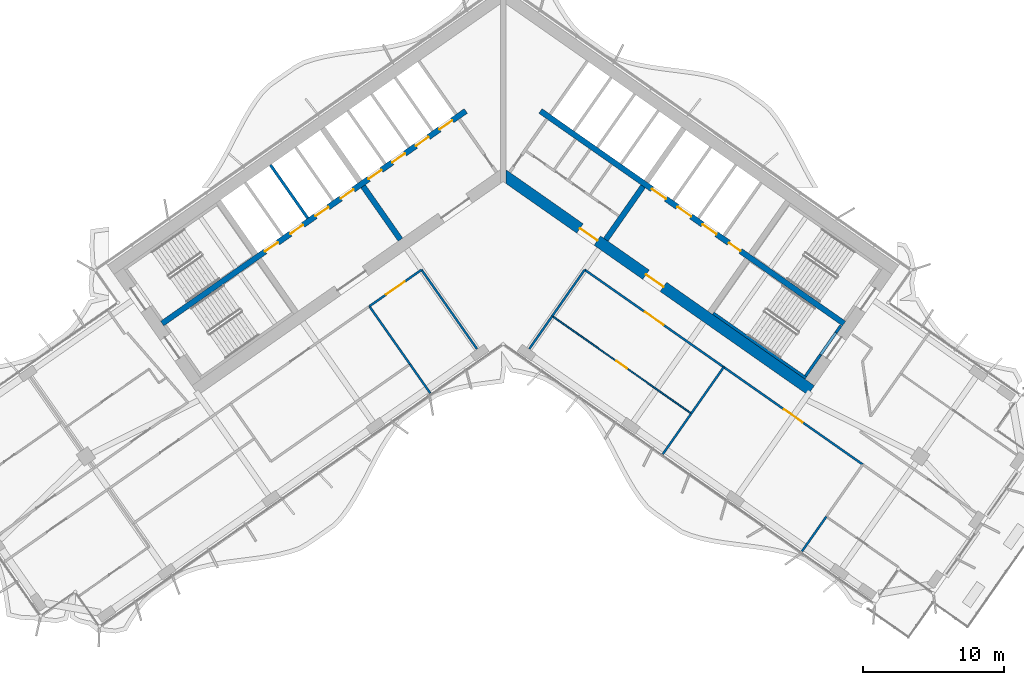
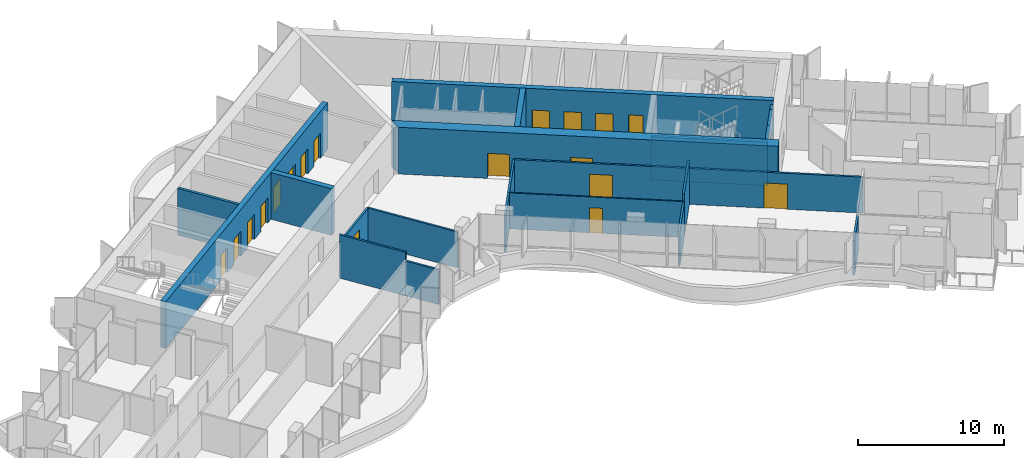
# One storey, part 13 of 22: 22 walls, 18 doors, 18 openings.
"""IFC4 building model written with IfcOpenShell, lengths in metres."""

from ifc_helpers import new_model, si_unit, direction, frame, frame_2d, origin, place, context, subcontext, project, spatial, polyline, rectangle, outline, extrude, material, layer, layer_set, type_object, element, fill, save


model = new_model("IFC4")

# Units and contexts
model_context = context("Model", 3, precision=1e-05, world=origin(), true_north=direction((0.0, 1.0)))
body_context = subcontext(model_context, "Body", "Model", "MODEL_VIEW")
ifc_project = project(units=[si_unit("LENGTHUNIT", "METRE"), si_unit("AREAUNIT", "SQUARE_METRE"), si_unit("VOLUMEUNIT", "CUBIC_METRE"), si_unit("PLANEANGLEUNIT", "RADIAN"), si_unit("MASSUNIT", "GRAM", prefix="KILO")], contexts=[model_context])

# Site, building, storey
site_placement = place(None, origin())
site = spatial("IfcSite", under=ifc_project, at=site_placement, CompositionType="ELEMENT")
building_placement = place(site_placement, origin())
building = spatial("IfcBuilding", under=site, at=building_placement, Name="Tel Ilan Convention Tower", CompositionType="ELEMENT")
storey_placement = place(building_placement, frame((0.0, 0.0, 143.699951171875)))
storey = spatial("IfcBuildingStorey", under=building, at=storey_placement, Name="L32", CompositionType="ELEMENT", Elevation=143.699951171875)

# Wall
ifc_material_1 = material(Name="Concrete C50/60", Category="concrete")
ifc_layer_1 = layer(ifc_material_1, 0.39990234375)
ifc_layer_set_1 = layer_set([ifc_layer_1], Name="Core Shear Wall 400 mm C50/60")
wall_type_1 = type_object("IfcWallType", Name="Core Shear Wall 400 mm C50/60", PredefinedType="SHEAR", material=ifc_layer_set_1)
wall_1_placement = place(storey_placement, frame((-7.2578125, -5.325927734375, 0.0), z_axis=(0.0, 0.0, 1.0), x_axis=(-0.573540709186, 0.819177059558, 0.0)))
element("IfcWall", 1, at=wall_1_placement, inside=storey, type_object=wall_type_1, Name="L32 core wall W-cross1-1", PredefinedType="SHEAR", context=body_context, shape_type="SweptSolid", body=[
    extrude(outline(polyline([(4.599853515625, 0.2001953125), (-0.000244140625, 0.199951171875), (-0.000244140625, -0.2001953125), (4.599853515625, -0.199951171875), (4.599853515625, 0.2001953125)])), origin(), (0.0, 0.0, 1.0), 3.900146484375),
])

# Wall, openings, doors
wall_2_placement = place(storey_placement, frame((-2.638427734375, 3.76806640625, 0.0), z_axis=(0.0, 0.0, 1.0), x_axis=(-0.81915267502, -0.573575535572, 0.0)))
wall_2 = element("IfcWall", 2, at=wall_2_placement, inside=storey, type_object=wall_type_1, Name="L32 core wall W-spine", PredefinedType="SHEAR", context=body_context, shape_type="SweptSolid", body=[
    extrude(outline(polyline([(26.199951171875, 0.199951171875), (0.0, 0.199951171875), (0.0, -0.199951171875), (26.199951171875, -0.199951171875), (26.199951171875, 0.199951171875)])), origin(), (0.0, 0.0, 1.0), 3.900146484375),
])
opening_1_placement = place(wall_2_placement, frame((1.168701171875, 0.0, 0.0)))
opening_1 = element("IfcOpeningElement", 3, at=opening_1_placement, cuts=wall_2, Name="Opening LD2604", PredefinedType="OPENING", context=body_context, shape_type="SweptSolid", body=[
    extrude(rectangle(XDim=1.10009765625, YDim=2.10009765625, at=frame_2d((0.550048828125, 1.050048828125))), frame((0.0, 0.2099609375, 0.0), z_axis=(0.0, -1.0, 0.0), x_axis=(1.0, 0.0, 0.0)), (0.0, 0.0, 1.0), 0.419921875),
])
opening_2_placement = place(wall_2_placement, frame((3.206298828125, 0.0, 0.0)))
opening_2 = element("IfcOpeningElement", 4, at=opening_2_placement, cuts=wall_2, Name="Opening LD2605", PredefinedType="OPENING", context=body_context, shape_type="SweptSolid", body=[
    extrude(rectangle(XDim=1.10009765625, YDim=2.10009765625, at=frame_2d((0.550048828125, 1.050048828125))), frame((0.0, 0.2099609375, 0.0), z_axis=(0.0, -1.0, 0.0), x_axis=(1.0, 0.0, 0.0)), (0.0, 0.0, 1.0), 0.419921875),
])
opening_3_placement = place(wall_2_placement, frame((5.24365234375, 0.0, 0.0)))
opening_3 = element("IfcOpeningElement", 5, at=opening_3_placement, cuts=wall_2, Name="Opening LD2606", PredefinedType="OPENING", context=body_context, shape_type="SweptSolid", body=[
    extrude(rectangle(XDim=1.10009765625, YDim=2.10009765625, at=frame_2d((0.550048828125, 1.050048828125))), frame((0.0, 0.2099609375, 0.0), z_axis=(0.0, -1.0, 0.0), x_axis=(1.0, 0.0, 0.0)), (0.0, 0.0, 1.0), 0.419921875),
])
opening_4_placement = place(wall_2_placement, frame((7.28125, 0.0, 0.0)))
opening_4 = element("IfcOpeningElement", 6, at=opening_4_placement, cuts=wall_2, Name="Opening LD2607", PredefinedType="OPENING", context=body_context, shape_type="SweptSolid", body=[
    extrude(rectangle(XDim=1.10009765625, YDim=2.10009765625, at=frame_2d((0.550048828125, 1.050048828125))), frame((0.0, 0.2099609375, 0.0), z_axis=(0.0, -1.0, 0.0), x_axis=(1.0, 0.0, 0.0)), (0.0, 0.0, 1.0), 0.419921875),
])
opening_5_placement = place(wall_2_placement, frame((9.6875, 0.0, 0.0)))
opening_5 = element("IfcOpeningElement", 7, at=opening_5_placement, cuts=wall_2, Name="Opening LD2608", PredefinedType="OPENING", context=body_context, shape_type="SweptSolid", body=[
    extrude(rectangle(XDim=1.10009765625, YDim=2.10009765625, at=frame_2d((0.550048828125, 1.050048828125))), frame((0.0, 0.2099609375, 0.0), z_axis=(0.0, -1.0, 0.0), x_axis=(1.0, 0.0, 0.0)), (0.0, 0.0, 1.0), 0.419921875),
])
opening_6_placement = place(wall_2_placement, frame((11.862548828125, 0.0, 0.0)))
opening_6 = element("IfcOpeningElement", 8, at=opening_6_placement, cuts=wall_2, Name="Opening LD2609", PredefinedType="OPENING", context=body_context, shape_type="SweptSolid", body=[
    extrude(rectangle(XDim=1.10009765625, YDim=2.10009765625, at=frame_2d((0.550048828125, 1.050048828125))), frame((0.0, 0.2099609375, 0.0), z_axis=(0.0, -1.0, 0.0), x_axis=(1.0, 0.0, 0.0)), (0.0, 0.0, 1.0), 0.419921875),
])
opening_7_placement = place(wall_2_placement, frame((14.03759765625, 0.0, 0.0)))
opening_7 = element("IfcOpeningElement", 9, at=opening_7_placement, cuts=wall_2, Name="Opening LD2610", PredefinedType="OPENING", context=body_context, shape_type="SweptSolid", body=[
    extrude(rectangle(XDim=1.10009765625, YDim=2.10009765625, at=frame_2d((0.550048828125, 1.050048828125))), frame((0.0, 0.2099609375, 0.0), z_axis=(0.0, -1.0, 0.0), x_axis=(1.0, 0.0, 0.0)), (0.0, 0.0, 1.0), 0.419921875),
])
opening_8_placement = place(wall_2_placement, frame((16.21240234375, 0.0, 0.0)))
opening_8 = element("IfcOpeningElement", 10, at=opening_8_placement, cuts=wall_2, Name="Opening LD2611", PredefinedType="OPENING", context=body_context, shape_type="SweptSolid", body=[
    extrude(rectangle(XDim=1.10009765625, YDim=2.10009765625, at=frame_2d((0.550048828125, 1.050048828125))), frame((0.0, 0.2099609375, 0.0), z_axis=(0.0, -1.0, 0.0), x_axis=(1.0, 0.0, 0.0)), (0.0, 0.0, 1.0), 0.419921875),
])
ifc_material_2 = material(Name="Stainless Steel Sliding Door Leaf", Category="steel")
door_type_1 = type_object("IfcDoorType", Name="Lift Landing Door 1100 x 2100 FD120", OperationType="NOTDEFINED", PredefinedType="DOOR", material=ifc_material_2)
door_1_placement = place(opening_1_placement, origin())
door_1 = element("IfcDoor", 11, at=door_1_placement, inside=storey, type_object=door_type_1, Name="Lift LR1 landing door", OperationType="SLIDING_TO_LEFT", OverallHeight=2.10009765625, OverallWidth=1.10009765625, PredefinedType="DOOR", context=body_context, shape_type="SweptSolid", body=[
    extrude(rectangle(XDim=1.10009765625, YDim=2.10009765625, at=frame_2d((0.550048828125, 1.050048828125))), frame((0.0, 0.02490234375, 0.0), z_axis=(0.0, -1.0, 0.0), x_axis=(1.0, 0.0, 0.0)), (0.0, 0.0, 1.0), 0.050048828125),
])
fill(opening_1, door_1)
door_2_placement = place(opening_2_placement, origin())
door_2 = element("IfcDoor", 12, at=door_2_placement, inside=storey, type_object=door_type_1, Name="Lift LR2 landing door", OperationType="SLIDING_TO_RIGHT", OverallHeight=2.10009765625, OverallWidth=1.10009765625, PredefinedType="DOOR", context=body_context, shape_type="SweptSolid", body=[
    extrude(rectangle(XDim=1.10009765625, YDim=2.10009765625, at=frame_2d((0.550048828125, 1.050048828125))), frame((0.0, 0.02490234375, 0.0), z_axis=(0.0, -1.0, 0.0), x_axis=(1.0, 0.0, 0.0)), (0.0, 0.0, 1.0), 0.050048828125),
])
fill(opening_2, door_2)
door_3_placement = place(opening_3_placement, origin())
door_3 = element("IfcDoor", 13, at=door_3_placement, inside=storey, type_object=door_type_1, Name="Lift LR3 landing door", OperationType="SLIDING_TO_LEFT", OverallHeight=2.10009765625, OverallWidth=1.10009765625, PredefinedType="DOOR", context=body_context, shape_type="SweptSolid", body=[
    extrude(rectangle(XDim=1.10009765625, YDim=2.10009765625, at=frame_2d((0.550048828125, 1.050048828125))), frame((0.0, 0.02490234375, 0.0), z_axis=(0.0, -1.0, 0.0), x_axis=(1.0, 0.0, 0.0)), (0.0, 0.0, 1.0), 0.050048828125),
])
fill(opening_3, door_3)
door_4_placement = place(opening_4_placement, origin())
door_4 = element("IfcDoor", 14, at=door_4_placement, inside=storey, type_object=door_type_1, Name="Lift LR4 landing door", OperationType="SLIDING_TO_RIGHT", OverallHeight=2.10009765625, OverallWidth=1.10009765625, PredefinedType="DOOR", context=body_context, shape_type="SweptSolid", body=[
    extrude(rectangle(XDim=1.10009765625, YDim=2.10009765625, at=frame_2d((0.550048828125, 1.050048828125))), frame((0.0, 0.02490234375, 0.0), z_axis=(0.0, -1.0, 0.0), x_axis=(1.0, 0.0, 0.0)), (0.0, 0.0, 1.0), 0.050048828125),
])
fill(opening_4, door_4)
door_5_placement = place(opening_5_placement, origin())
door_5 = element("IfcDoor", 15, at=door_5_placement, inside=storey, type_object=door_type_1, Name="Lift LR5 landing door", OperationType="SLIDING_TO_LEFT", OverallHeight=2.10009765625, OverallWidth=1.10009765625, PredefinedType="DOOR", context=body_context, shape_type="SweptSolid", body=[
    extrude(rectangle(XDim=1.10009765625, YDim=2.10009765625, at=frame_2d((0.550048828125, 1.050048828125))), frame((0.0, 0.02490234375, 0.0), z_axis=(0.0, -1.0, 0.0), x_axis=(1.0, 0.0, 0.0)), (0.0, 0.0, 1.0), 0.050048828125),
])
fill(opening_5, door_5)
door_6_placement = place(opening_6_placement, origin())
door_6 = element("IfcDoor", 16, at=door_6_placement, inside=storey, type_object=door_type_1, Name="Lift LR6 landing door", OperationType="SLIDING_TO_RIGHT", OverallHeight=2.10009765625, OverallWidth=1.10009765625, PredefinedType="DOOR", context=body_context, shape_type="SweptSolid", body=[
    extrude(rectangle(XDim=1.10009765625, YDim=2.10009765625, at=frame_2d((0.550048828125, 1.050048828125))), frame((0.0, 0.02490234375, 0.0), z_axis=(0.0, -1.0, 0.0), x_axis=(1.0, 0.0, 0.0)), (0.0, 0.0, 1.0), 0.050048828125),
])
fill(opening_6, door_6)
door_7_placement = place(opening_7_placement, origin())
door_7 = element("IfcDoor", 17, at=door_7_placement, inside=storey, type_object=door_type_1, Name="Lift LR7 landing door", OperationType="SLIDING_TO_LEFT", OverallHeight=2.10009765625, OverallWidth=1.10009765625, PredefinedType="DOOR", context=body_context, shape_type="SweptSolid", body=[
    extrude(rectangle(XDim=1.10009765625, YDim=2.10009765625, at=frame_2d((0.550048828125, 1.050048828125))), frame((0.0, 0.02490234375, 0.0), z_axis=(0.0, -1.0, 0.0), x_axis=(1.0, 0.0, 0.0)), (0.0, 0.0, 1.0), 0.050048828125),
])
fill(opening_7, door_7)
door_8_placement = place(opening_8_placement, origin())
door_8 = element("IfcDoor", 18, at=door_8_placement, inside=storey, type_object=door_type_1, Name="Lift LR8 landing door", OperationType="SLIDING_TO_RIGHT", OverallHeight=2.10009765625, OverallWidth=1.10009765625, PredefinedType="DOOR", context=body_context, shape_type="SweptSolid", body=[
    extrude(rectangle(XDim=1.10009765625, YDim=2.10009765625, at=frame_2d((0.550048828125, 1.050048828125))), frame((0.0, 0.02490234375, 0.0), z_axis=(0.0, -1.0, 0.0), x_axis=(1.0, 0.0, 0.0)), (0.0, 0.0, 1.0), 0.050048828125),
])
fill(opening_8, door_8)

# Wall
wall_3_placement = place(storey_placement, frame((7.2578125, -5.325927734375, 0.0), z_axis=(0.0, 0.0, 1.0), x_axis=(0.573540709186, 0.819177059558, 0.0)))
element("IfcWall", 19, at=wall_3_placement, inside=storey, type_object=wall_type_1, Name="L32 core wall E-cross1-1", PredefinedType="SHEAR", context=body_context, shape_type="SweptSolid", body=[
    extrude(outline(polyline([(-0.000244140625, 0.2001953125), (-0.000244140625, -0.199951171875), (4.599853515625, -0.2001953125), (4.599853515625, 0.199951171875), (-0.000244140625, 0.2001953125)])), origin(), (0.0, 0.0, 1.0), 3.900146484375),
])

# Wall, openings, doors
wall_4_placement = place(storey_placement, frame((2.638427734375, 3.76806640625, 0.0), z_axis=(0.0, 0.0, 1.0), x_axis=(0.81915267502, -0.573575535572, 0.0)))
wall_4 = element("IfcWall", 20, at=wall_4_placement, inside=storey, type_object=wall_type_1, Name="L32 core wall E-spine", PredefinedType="SHEAR", context=body_context, shape_type="SweptSolid", body=[
    extrude(outline(polyline([(0.0, 0.199951171875), (0.0, -0.199951171875), (26.199951171875, -0.199951171875), (26.199951171875, 0.199951171875), (0.0, 0.199951171875)])), origin(), (0.0, 0.0, 1.0), 3.900146484375),
])
opening_9_placement = place(wall_4_placement, frame((9.637451171875, 0.0, 0.0)))
opening_9 = element("IfcOpeningElement", 21, at=opening_9_placement, cuts=wall_4, Name="Opening LD2601", PredefinedType="OPENING", context=body_context, shape_type="SweptSolid", body=[
    extrude(rectangle(XDim=1.199951171875, YDim=2.10009765625, at=frame_2d((0.60009765625, 1.050048828125))), frame((0.0, 0.2099609375, 0.0), z_axis=(0.0, -1.0, 0.0), x_axis=(1.0, 0.0, 0.0)), (0.0, 0.0, 1.0), 0.419921875),
])
opening_10_placement = place(wall_4_placement, frame((11.8125, 0.0, 0.0)))
opening_10 = element("IfcOpeningElement", 22, at=opening_10_placement, cuts=wall_4, Name="Opening LD2602", PredefinedType="OPENING", context=body_context, shape_type="SweptSolid", body=[
    extrude(rectangle(XDim=1.199951171875, YDim=2.10009765625, at=frame_2d((0.60009765625, 1.050048828125))), frame((0.0, 0.2099609375, 0.0), z_axis=(0.0, -1.0, 0.0), x_axis=(1.0, 0.0, 0.0)), (0.0, 0.0, 1.0), 0.419921875),
])
opening_11_placement = place(wall_4_placement, frame((13.987548828125, 0.0, 0.0)))
opening_11 = element("IfcOpeningElement", 23, at=opening_11_placement, cuts=wall_4, Name="Opening LD2603", PredefinedType="OPENING", context=body_context, shape_type="SweptSolid", body=[
    extrude(rectangle(XDim=1.199951171875, YDim=2.10009765625, at=frame_2d((0.60009765625, 1.050048828125))), frame((0.0, 0.2099609375, 0.0), z_axis=(0.0, -1.0, 0.0), x_axis=(1.0, 0.0, 0.0)), (0.0, 0.0, 1.0), 0.419921875),
])
opening_12_placement = place(wall_4_placement, frame((16.262451171875, 0.0, 0.0)))
opening_12 = element("IfcOpeningElement", 24, at=opening_12_placement, cuts=wall_4, Name="Opening CD2607", PredefinedType="OPENING", context=body_context, shape_type="SweptSolid", body=[
    extrude(rectangle(XDim=1.0, YDim=2.10009765625, at=frame_2d((0.5, 1.050048828125))), frame((0.0, 0.2099609375, 0.0), z_axis=(0.0, -1.0, 0.0), x_axis=(1.0, 0.0, 0.0)), (0.0, 0.0, 1.0), 0.419921875),
])
ifc_material_3 = material(Name="Stainless Steel Sliding Door Leaf", Category="steel")
door_type_2 = type_object("IfcDoorType", Name="Lift Landing Door 1200 x 2100 FD120", OperationType="NOTDEFINED", PredefinedType="DOOR", material=ifc_material_3)
door_9_placement = place(opening_9_placement, origin())
door_9 = element("IfcDoor", 25, at=door_9_placement, inside=storey, type_object=door_type_2, Name="Lift FL1 landing door", OperationType="SLIDING_TO_LEFT", OverallHeight=2.10009765625, OverallWidth=1.199951171875, PredefinedType="DOOR", context=body_context, shape_type="SweptSolid", body=[
    extrude(rectangle(XDim=1.199951171875, YDim=2.10009765625, at=frame_2d((0.60009765625, 1.050048828125))), frame((0.0, 0.02490234375, 0.0), z_axis=(0.0, -1.0, 0.0), x_axis=(1.0, 0.0, 0.0)), (0.0, 0.0, 1.0), 0.050048828125),
])
fill(opening_9, door_9)
door_10_placement = place(opening_10_placement, origin())
door_10 = element("IfcDoor", 26, at=door_10_placement, inside=storey, type_object=door_type_2, Name="Lift FL2 landing door", OperationType="SLIDING_TO_RIGHT", OverallHeight=2.10009765625, OverallWidth=1.199951171875, PredefinedType="DOOR", context=body_context, shape_type="SweptSolid", body=[
    extrude(rectangle(XDim=1.199951171875, YDim=2.10009765625, at=frame_2d((0.60009765625, 1.050048828125))), frame((0.0, 0.02490234375, 0.0), z_axis=(0.0, -1.0, 0.0), x_axis=(1.0, 0.0, 0.0)), (0.0, 0.0, 1.0), 0.050048828125),
])
fill(opening_10, door_10)
door_11_placement = place(opening_11_placement, origin())
door_11 = element("IfcDoor", 27, at=door_11_placement, inside=storey, type_object=door_type_2, Name="Lift FL3 landing door", OperationType="SLIDING_TO_LEFT", OverallHeight=2.10009765625, OverallWidth=1.199951171875, PredefinedType="DOOR", context=body_context, shape_type="SweptSolid", body=[
    extrude(rectangle(XDim=1.199951171875, YDim=2.10009765625, at=frame_2d((0.60009765625, 1.050048828125))), frame((0.0, 0.02490234375, 0.0), z_axis=(0.0, -1.0, 0.0), x_axis=(1.0, 0.0, 0.0)), (0.0, 0.0, 1.0), 0.050048828125),
])
fill(opening_11, door_11)
ifc_material_4 = material(Name="Galvanised Steel Door Leaf", Category="steel")
door_type_3 = type_object("IfcDoorType", Name="Service Room Door 1000 x 2100 FD60", OperationType="NOTDEFINED", PredefinedType="DOOR", material=ifc_material_4)
door_12_placement = place(opening_12_placement, origin())
door_12 = element("IfcDoor", 28, at=door_12_placement, inside=storey, type_object=door_type_3, Name="Plant Room door", OperationType="SINGLE_SWING_RIGHT", OverallHeight=2.10009765625, OverallWidth=1.0, PredefinedType="DOOR", context=body_context, shape_type="SweptSolid", body=[
    extrude(rectangle(XDim=1.0, YDim=2.10009765625, at=frame_2d((0.5, 1.050048828125))), frame((0.0, 0.02490234375, 0.0), z_axis=(0.0, -1.0, 0.0), x_axis=(1.0, 0.0, 0.0)), (0.0, 0.0, 1.0), 0.050048828125),
])
fill(opening_12, door_12)

ifc_material_5 = material(Name="Concrete C50/60", Category="concrete")
ifc_layer_2 = layer(ifc_material_5, 0.800048828125)
ifc_layer_set_2 = layer_set([ifc_layer_2], Name="Core Shear Wall 800 mm C50/60")
wall_type_2 = type_object("IfcWallType", Name="Core Shear Wall 800 mm C50/60", PredefinedType="SHEAR", material=ifc_layer_set_2)
wall_5_placement = place(storey_placement, frame((-0.029296875, -0.7119140625, 0.0), z_axis=(0.0, 0.0, 1.0), x_axis=(0.819151758019, -0.573576845187, 0.0)))
wall_5 = element("IfcWall", 29, at=wall_5_placement, inside=storey, type_object=wall_type_2, Name="L32 core wall E-front", PredefinedType="SHEAR", context=body_context, shape_type="SweptSolid", body=[
    extrude(outline(polyline([(26.61572265625, 0.39990234375), (-0.000244140625, 0.39990234375), (0.56005859375, -0.39990234375), (26.61572265625, -0.39990234375), (26.61572265625, 0.39990234375)])), origin(), (0.0, 0.0, 1.0), 3.900146484375),
])
opening_13_placement = place(wall_5_placement, frame((6.665771484375, 0.0, 0.0)))
opening_13 = element("IfcOpeningElement", 30, at=opening_13_placement, cuts=wall_5, Name="Opening CD2603", PredefinedType="OPENING", context=body_context, shape_type="SweptSolid", body=[
    extrude(rectangle(XDim=1.5, YDim=2.10009765625, at=frame_2d((0.75, 1.050048828125))), frame((0.0, 0.409912109375, 0.0), z_axis=(0.0, -1.0, 0.0), x_axis=(1.0, 0.0, 0.0)), (0.0, 0.0, 1.0), 0.820068359375),
])
opening_14_placement = place(wall_5_placement, frame((12.36572265625, 0.0, 0.0)))
opening_14 = element("IfcOpeningElement", 31, at=opening_14_placement, cuts=wall_5, Name="Opening CD2604", PredefinedType="OPENING", context=body_context, shape_type="SweptSolid", body=[
    extrude(rectangle(XDim=1.5, YDim=2.10009765625, at=frame_2d((0.75, 1.050048828125))), frame((0.0, 0.409912109375, 0.0), z_axis=(0.0, -1.0, 0.0), x_axis=(1.0, 0.0, 0.0)), (0.0, 0.0, 1.0), 0.820068359375),
])
ifc_material_6 = material(Name="Glazed Aluminium Door Leaf", Category="aluminium")
door_type_4 = type_object("IfcDoorType", Name="Lobby Opening Door 1500 x 2100 FD60S", OperationType="NOTDEFINED", PredefinedType="DOOR", material=ifc_material_6)
door_13_placement = place(opening_14_placement, origin())
door_13 = element("IfcDoor", 32, at=door_13_placement, inside=storey, type_object=door_type_4, Name="Firefighting Lobby door", OperationType="DOUBLE_DOOR_SINGLE_SWING", OverallHeight=2.10009765625, OverallWidth=1.5, PredefinedType="DOOR", context=body_context, shape_type="SweptSolid", body=[
    extrude(rectangle(XDim=1.5, YDim=2.10009765625, at=frame_2d((0.75, 1.050048828125))), frame((0.0, 0.02490234375, 0.0), z_axis=(0.0, -1.0, 0.0), x_axis=(1.0, 0.0, 0.0)), (0.0, 0.0, 1.0), 0.050048828125),
])
fill(opening_14, door_13)
ifc_material_7 = material(Name="Laminated Timber Door Leaf", Category="wood")
door_type_5 = type_object("IfcDoorType", Name="Toilet Door 1500 x 2100 FD30S", OperationType="NOTDEFINED", PredefinedType="DOOR", material=ifc_material_7)
door_14_placement = place(opening_13_placement, origin())
door_14 = element("IfcDoor", 33, at=door_14_placement, inside=storey, type_object=door_type_5, Name="WC Lobby door", OperationType="SINGLE_SWING_RIGHT", OverallHeight=2.10009765625, OverallWidth=1.5, PredefinedType="DOOR", context=body_context, shape_type="SweptSolid", body=[
    extrude(rectangle(XDim=1.5, YDim=2.10009765625, at=frame_2d((0.75, 1.050048828125))), frame((0.0, 0.02490234375, 0.0), z_axis=(0.0, -1.0, 0.0), x_axis=(1.0, 0.0, 0.0)), (0.0, 0.0, 1.0), 0.050048828125),
])
fill(opening_13, door_14)

# Wall, opening, door
ifc_material_8 = material(Name="Plasterboard on Steel Studs", Category="steel")
ifc_layer_3 = layer(ifc_material_8, 0.14990234375)
ifc_layer_set_3 = layer_set([ifc_layer_3], Name="Fire-rated Partition 150 EI 60")
wall_type_3 = type_object("IfcWallType", Name="Fire-rated Partition 150 EI 60", PredefinedType="PARTITIONING", material=ifc_layer_set_3)
wall_6_placement = place(storey_placement, frame((15.597900390625, -14.33984375, 0.0), z_axis=(0.0, 0.0, 1.0), x_axis=(-0.81915546166, 0.573571555809, 0.0)))
wall_6 = element("IfcWall", 34, at=wall_6_placement, inside=storey, type_object=wall_type_3, Name="Partition 002", PredefinedType="PARTITIONING", context=body_context, shape_type="SweptSolid", body=[
    extrude(rectangle(XDim=12.001953125, YDim=0.14990234375, at=frame_2d((6.0009765625, 0.0))), origin(), (0.0, 0.0, 1.0), 3.0),
])
opening_15_placement = place(wall_6_placement, frame((5.200927734375, 0.0, 0.0)))
opening_15 = element("IfcOpeningElement", 35, at=opening_15_placement, cuts=wall_6, Name="Opening L32-010", PredefinedType="OPENING", context=body_context, shape_type="SweptSolid", body=[
    extrude(rectangle(XDim=1.60009765625, YDim=2.10009765625, at=frame_2d((0.800048828125, 1.050048828125))), frame((0.0, 0.0849609375, 0.0), z_axis=(0.0, -1.0, 0.0), x_axis=(1.0, 0.0, 0.0)), (0.0, 0.0, 1.0), 0.169921875),
])
ifc_material_9 = material(Name="Timber Door Leaf in Steel Frame", Category="steel")
door_type_6 = type_object("IfcDoorType", Name="Tenant Suite Entrance Fire Door 1600x2100", OperationType="NOTDEFINED", PredefinedType="DOOR", material=ifc_material_9)
door_15_placement = place(opening_15_placement, origin())
door_15 = element("IfcDoor", 36, at=door_15_placement, inside=storey, type_object=door_type_6, Name="Door L32-010", OperationType="DOUBLE_DOOR_SINGLE_SWING", OverallHeight=2.10009765625, OverallWidth=1.60009765625, PredefinedType="DOOR", context=body_context, shape_type="SweptSolid", body=[
    extrude(rectangle(XDim=1.60009765625, YDim=2.10009765625, at=frame_2d((0.800048828125, 1.050048828125))), frame((0.0, 0.02490234375, 0.0), z_axis=(0.0, -1.0, 0.0), x_axis=(1.0, 0.0, 0.0)), (0.0, 0.0, 1.0), 0.050048828125),
])
fill(opening_15, door_15)

wall_7_placement = place(storey_placement, frame((25.427490234375, -21.222900390625, 0.0), z_axis=(0.0, 0.0, 1.0), x_axis=(-0.819147828287, 0.573582457378, 0.0)))
wall_7 = element("IfcWall", 37, at=wall_7_placement, inside=storey, type_object=wall_type_3, Name="Partition 003", PredefinedType="PARTITIONING", context=body_context, shape_type="SweptSolid", body=[
    extrude(rectangle(XDim=12.00390625, YDim=0.14990234375, at=frame_2d((6.001953125, 0.0))), origin(), (0.0, 0.0, 1.0), 3.0),
])
opening_16_placement = place(wall_7_placement, frame((5.201904296875, 0.0, 0.0)))
opening_16 = element("IfcOpeningElement", 38, at=opening_16_placement, cuts=wall_7, Name="Opening L32-012", PredefinedType="OPENING", context=body_context, shape_type="SweptSolid", body=[
    extrude(rectangle(XDim=1.60009765625, YDim=2.10009765625, at=frame_2d((0.800048828125, 1.050048828125))), frame((0.0, 0.0849609375, 0.0), z_axis=(0.0, -1.0, 0.0), x_axis=(1.0, 0.0, 0.0)), (0.0, 0.0, 1.0), 0.169921875),
])
door_16_placement = place(opening_16_placement, origin())
door_16 = element("IfcDoor", 39, at=door_16_placement, inside=storey, type_object=door_type_6, Name="Door L32-012", OperationType="DOUBLE_DOOR_SINGLE_SWING", OverallHeight=2.10009765625, OverallWidth=1.60009765625, PredefinedType="DOOR", context=body_context, shape_type="SweptSolid", body=[
    extrude(rectangle(XDim=1.60009765625, YDim=2.10009765625, at=frame_2d((0.800048828125, 1.050048828125))), frame((0.0, 0.02490234375, 0.0), z_axis=(0.0, -1.0, 0.0), x_axis=(1.0, 0.0, 0.0)), (0.0, 0.0, 1.0), 0.050048828125),
])
fill(opening_16, door_16)

wall_8_placement = place(storey_placement, frame((-5.766357421875, -7.455810546875, 0.0), z_axis=(0.0, 0.0, 1.0), x_axis=(-0.819142740634, -0.573589723117, 0.0)))
wall_8 = element("IfcWall", 40, at=wall_8_placement, inside=storey, type_object=wall_type_3, Name="Partition 007", PredefinedType="PARTITIONING", context=body_context, shape_type="SweptSolid", body=[
    extrude(rectangle(XDim=4.501953125, YDim=0.14990234375, at=frame_2d((2.2509765625, 0.0))), origin(), (0.0, 0.0, 1.0), 3.0),
])
opening_17_placement = place(wall_8_placement, frame((1.450927734375, 0.0, 0.0)))
opening_17 = element("IfcOpeningElement", 41, at=opening_17_placement, cuts=wall_8, Name="Opening L32-001", PredefinedType="OPENING", context=body_context, shape_type="SweptSolid", body=[
    extrude(rectangle(XDim=1.60009765625, YDim=2.10009765625, at=frame_2d((0.800048828125, 1.050048828125))), frame((0.0, 0.0849609375, 0.0), z_axis=(0.0, -1.0, 0.0), x_axis=(1.0, 0.0, 0.0)), (0.0, 0.0, 1.0), 0.169921875),
])
door_17_placement = place(opening_17_placement, origin())
door_17 = element("IfcDoor", 42, at=door_17_placement, inside=storey, type_object=door_type_6, Name="Door L32-001", OperationType="DOUBLE_DOOR_SINGLE_SWING", OverallHeight=2.10009765625, OverallWidth=1.60009765625, PredefinedType="DOOR", context=body_context, shape_type="SweptSolid", body=[
    extrude(rectangle(XDim=1.60009765625, YDim=2.10009765625, at=frame_2d((0.800048828125, 1.050048828125))), frame((0.0, 0.02490234375, 0.0), z_axis=(0.0, -1.0, 0.0), x_axis=(1.0, 0.0, 0.0)), (0.0, 0.0, 1.0), 0.050048828125),
])
fill(opening_17, door_17)

# Walls
wall_9_placement = place(storey_placement, frame((13.30126953125, -17.6162109375, 0.0), z_axis=(0.0, 0.0, 1.0), x_axis=(-0.573555999232, -0.819166354134, 0.0)))
element("IfcWall", 43, at=wall_9_placement, inside=storey, type_object=wall_type_3, Name="Partition 018", PredefinedType="PARTITIONING", context=body_context, shape_type="SweptSolid", body=[
    extrude(rectangle(XDim=3.4990234375, YDim=0.14990234375, at=frame_2d((1.74951171875, 0.0))), origin(), (0.0, 0.0, 1.0), 2.900146484375),
])
wall_10_placement = place(storey_placement, frame((1.848876953125, -13.050537109375, 0.0), z_axis=(0.0, 0.0, 1.0), x_axis=(0.573555012677, 0.819167044889, 0.0)))
element("IfcWall", 44, at=wall_10_placement, inside=storey, type_object=wall_type_3, Name="Partition 019", PredefinedType="PARTITIONING", context=body_context, shape_type="SweptSolid", body=[
    extrude(rectangle(XDim=2.828857421875, YDim=0.14990234375, at=frame_2d((1.41455078125, 0.0))), origin(), (0.0, 0.0, 1.0), 3.0),
])
wall_11_placement = place(storey_placement, frame((15.59619140625, -14.338623046875, 0.0), z_axis=(0.0, 0.0, 1.0), x_axis=(-0.573556557423, -0.819165963305, 0.0)))
element("IfcWall", 45, at=wall_11_placement, inside=storey, type_object=wall_type_3, Name="Partition 020", PredefinedType="PARTITIONING", context=body_context, shape_type="SweptSolid", body=[
    extrude(rectangle(XDim=4.0, YDim=0.14990234375, at=frame_2d((2.0, 0.0))), origin(), (0.0, 0.0, 1.0), 3.6201171875),
])
wall_12_placement = place(storey_placement, frame((3.471923828125, -10.732421875, 0.0), z_axis=(0.0, 0.0, 1.0), x_axis=(0.573597512525, 0.819137286189, 0.0)))
element("IfcWall", 46, at=wall_12_placement, inside=storey, type_object=wall_type_3, Name="Partition 021", PredefinedType="PARTITIONING", context=body_context, shape_type="SweptSolid", body=[
    extrude(rectangle(XDim=4.0, YDim=0.14990234375, at=frame_2d((2.0, 0.0))), origin(), (0.0, 0.0, 1.0), 3.0),
])
wall_13_placement = place(storey_placement, frame((22.845458984375, -24.906982421875, 0.0), z_axis=(0.0, 0.0, 1.0), x_axis=(-0.573555162214, -0.819166940189, 0.0)))
element("IfcWall", 47, at=wall_13_placement, inside=storey, type_object=wall_type_3, Name="Partition 022", PredefinedType="PARTITIONING", context=body_context, shape_type="SweptSolid", body=[
    extrude(rectangle(XDim=3.0009765625, YDim=0.14990234375, at=frame_2d((1.50048828125, 0.0))), origin(), (0.0, 0.0, 1.0), 2.900146484375),
])
wall_14_placement = place(storey_placement, frame((-1.848876953125, -13.050537109375, 0.0), z_axis=(0.0, 0.0, 1.0), x_axis=(-0.57357985571, 0.819149650018, 0.0)))
element("IfcWall", 48, at=wall_14_placement, inside=storey, type_object=wall_type_3, Name="Partition 025", PredefinedType="PARTITIONING", context=body_context, shape_type="SweptSolid", body=[
    extrude(rectangle(XDim=6.83203125, YDim=0.14990234375, at=frame_2d((3.416015625, 0.0))), origin(), (0.0, 0.0, 1.0), 3.0),
])
wall_15_placement = place(storey_placement, frame((-6.58349609375, -14.13427734375, 0.0), z_axis=(0.0, 0.0, 1.0), x_axis=(-0.573557338351, 0.819165416521, 0.0)))
element("IfcWall", 49, at=wall_15_placement, inside=storey, type_object=wall_type_3, Name="Partition 037", PredefinedType="PARTITIONING", context=body_context, shape_type="SweptSolid", body=[
    extrude(rectangle(XDim=5.001953125, YDim=0.14990234375, at=frame_2d((2.5009765625, 0.0))), origin(), (0.0, 0.0, 1.0), 3.6201171875),
])
wall_16_placement = place(storey_placement, frame((-5.150634765625, -16.180419921875, 0.0), z_axis=(0.0, 0.0, 1.0), x_axis=(-0.573613022702, 0.819126425033, 0.0)))
element("IfcWall", 50, at=wall_16_placement, inside=storey, type_object=wall_type_3, Name="Partition 038", PredefinedType="PARTITIONING", context=body_context, shape_type="SweptSolid", body=[
    extrude(rectangle(XDim=2.5009765625, YDim=0.14990234375, at=frame_2d((1.25048828125, 0.0))), origin(), (0.0, 0.0, 1.0), 2.900146484375),
])
ifc_material_10 = material(Name="Concrete C30/37", Category="concrete")
ifc_layer_4 = layer(ifc_material_10, 0.199951171875)
ifc_layer_set_4 = layer_set([ifc_layer_4], Name="Lift Shaft Wall 200 mm C30/37")
wall_type_4 = type_object("IfcWallType", Name="Lift Shaft Wall 200 mm C30/37", PredefinedType="SOLIDWALL", material=ifc_layer_set_4)
wall_17_placement = place(storey_placement, frame((-13.811767578125, -3.811279296875, 0.0), z_axis=(0.0, 0.0, 1.0), x_axis=(-0.573576324356, 0.819152122709, 0.0)))
element("IfcWall", 51, at=wall_17_placement, inside=storey, type_object=wall_type_4, Name="L32 core wall bank-W2-p1", PredefinedType="SOLIDWALL", context=body_context, shape_type="SweptSolid", body=[
    extrude(rectangle(XDim=4.599853515625, YDim=0.199951171875, at=frame_2d((2.2998046875, 0.0))), origin(), (0.0, 0.0, 1.0), 3.900146484375),
])

# Wall, opening, door
ifc_material_11 = material(Name="Plasterboard on Steel Studs", Category="steel")
ifc_layer_5 = layer(ifc_material_11, 0.10009765625)
ifc_layer_set_5 = layer_set([ifc_layer_5], Name="Plasterboard Partition 100")
wall_type_5 = type_object("IfcWallType", Name="Plasterboard Partition 100", PredefinedType="PARTITIONING", material=ifc_layer_set_5)
wall_18_placement = place(storey_placement, frame((13.30126953125, -17.6162109375, 0.0), z_axis=(0.0, 0.0, 1.0), x_axis=(-0.819146845232, 0.573583861302, 0.0)))
wall_18 = element("IfcWall", 52, at=wall_18_placement, inside=storey, type_object=wall_type_5, Name="Partition 017", PredefinedType="PARTITIONING", context=body_context, shape_type="SweptSolid", body=[
    extrude(rectangle(XDim=12.0, YDim=0.10009765625, at=frame_2d((6.0, 0.0))), origin(), (0.0, 0.0, 1.0), 3.0),
])
opening_18_placement = place(wall_18_placement, frame((5.550048828125, 0.0, 0.0)))
opening_18 = element("IfcOpeningElement", 53, at=opening_18_placement, cuts=wall_18, Name="Opening L32-011", PredefinedType="OPENING", context=body_context, shape_type="SweptSolid", body=[
    extrude(rectangle(XDim=0.89990234375, YDim=2.10009765625, at=frame_2d((0.449951171875, 1.050048828125))), frame((0.0, 0.06005859375, 0.0), z_axis=(0.0, -1.0, 0.0), x_axis=(1.0, 0.0, 0.0)), (0.0, 0.0, 1.0), 0.1201171875),
])
ifc_material_12 = material(Name="Timber Door Leaf in Steel Frame", Category="steel")
door_type_7 = type_object("IfcDoorType", Name="Room Timber Door 900x2100", OperationType="NOTDEFINED", PredefinedType="DOOR", material=ifc_material_12)
door_18_placement = place(opening_18_placement, origin())
door_18 = element("IfcDoor", 54, at=door_18_placement, inside=storey, type_object=door_type_7, Name="Door L32-011", OperationType="SINGLE_SWING_LEFT", OverallHeight=2.10009765625, OverallWidth=0.89990234375, PredefinedType="DOOR", context=body_context, shape_type="SweptSolid", body=[
    extrude(rectangle(XDim=0.89990234375, YDim=2.10009765625, at=frame_2d((0.449951171875, 1.050048828125))), frame((0.0, 0.02490234375, 0.0), z_axis=(0.0, -1.0, 0.0), x_axis=(1.0, 0.0, 0.0)), (0.0, 0.0, 1.0), 0.050048828125),
])
fill(opening_18, door_18)

# Walls
ifc_material_13 = material(Name="Concrete C30/37", Category="concrete")
ifc_layer_6 = layer(ifc_material_13, 0.199951171875)
ifc_layer_set_6 = layer_set([ifc_layer_6], Name="Stair and Shaft Lining Wall 200 mm C30/37")
wall_type_6 = type_object("IfcWallType", Name="Stair and Shaft Lining Wall 200 mm C30/37", PredefinedType="SOLIDWALL", material=ifc_layer_set_6)
wall_19_placement = place(storey_placement, frame((14.851318359375, -10.52099609375, 0.0), z_axis=(0.0, 0.0, 1.0), x_axis=(0.819141584393, -0.57359137434, 0.0)))
element("IfcWall", 55, at=wall_19_placement, inside=storey, type_object=wall_type_6, Name="L32 core wall lining-S4-t0", PredefinedType="SOLIDWALL", context=body_context, shape_type="SweptSolid", body=[
    extrude(rectangle(XDim=7.999755859375, YDim=0.199951171875, at=frame_2d((4.0, 0.0))), origin(), (0.0, 0.0, 1.0), 3.6201171875),
])
wall_20_placement = place(storey_placement, frame((21.3798828125, -14.97021484375, 0.0), z_axis=(0.0, 0.0, 1.0), x_axis=(0.573559770908, 0.819163713305, 0.0)))
element("IfcWall", 56, at=wall_20_placement, inside=storey, type_object=wall_type_6, Name="L32 core wall lining-S4-u1-0", PredefinedType="SOLIDWALL", context=body_context, shape_type="SweptSolid", body=[
    extrude(rectangle(XDim=1.849853515625, YDim=0.199951171875, at=frame_2d((0.9248046875, 0.0))), origin(), (0.0, 0.0, 1.0), 3.6201171875),
])
wall_21_placement = place(storey_placement, frame((23.53076171875, -11.8984375, 0.0), z_axis=(0.0, 0.0, 1.0), x_axis=(0.573708088123, 0.819059844958, 0.0)))
element("IfcWall", 57, at=wall_21_placement, inside=storey, type_object=wall_type_6, Name="L32 core wall lining-S4-u1-1", PredefinedType="SOLIDWALL", context=body_context, shape_type="SweptSolid", body=[
    extrude(rectangle(XDim=0.60009765625, YDim=0.199951171875, at=frame_2d((0.300048828125, 0.0))), origin(), (0.0, 0.0, 1.0), 3.6201171875),
])
wall_22_placement = place(storey_placement, frame((22.44091796875, -13.454833984375, 2.150146484375), z_axis=(0.0, 0.0, 1.0), x_axis=(0.573591692345, 0.819141361715, 0.0)))
element("IfcWall", 58, at=wall_22_placement, inside=storey, type_object=wall_type_6, Name="L32 core wall lining-S4-u1-lintel", PredefinedType="SOLIDWALL", context=body_context, shape_type="SweptSolid", body=[
    extrude(rectangle(XDim=1.900146484375, YDim=0.199951171875, at=frame_2d((0.9501953125, 0.0))), origin(), (0.0, 0.0, 1.0), 1.469970703125),
])

save(model, "model.ifc")
